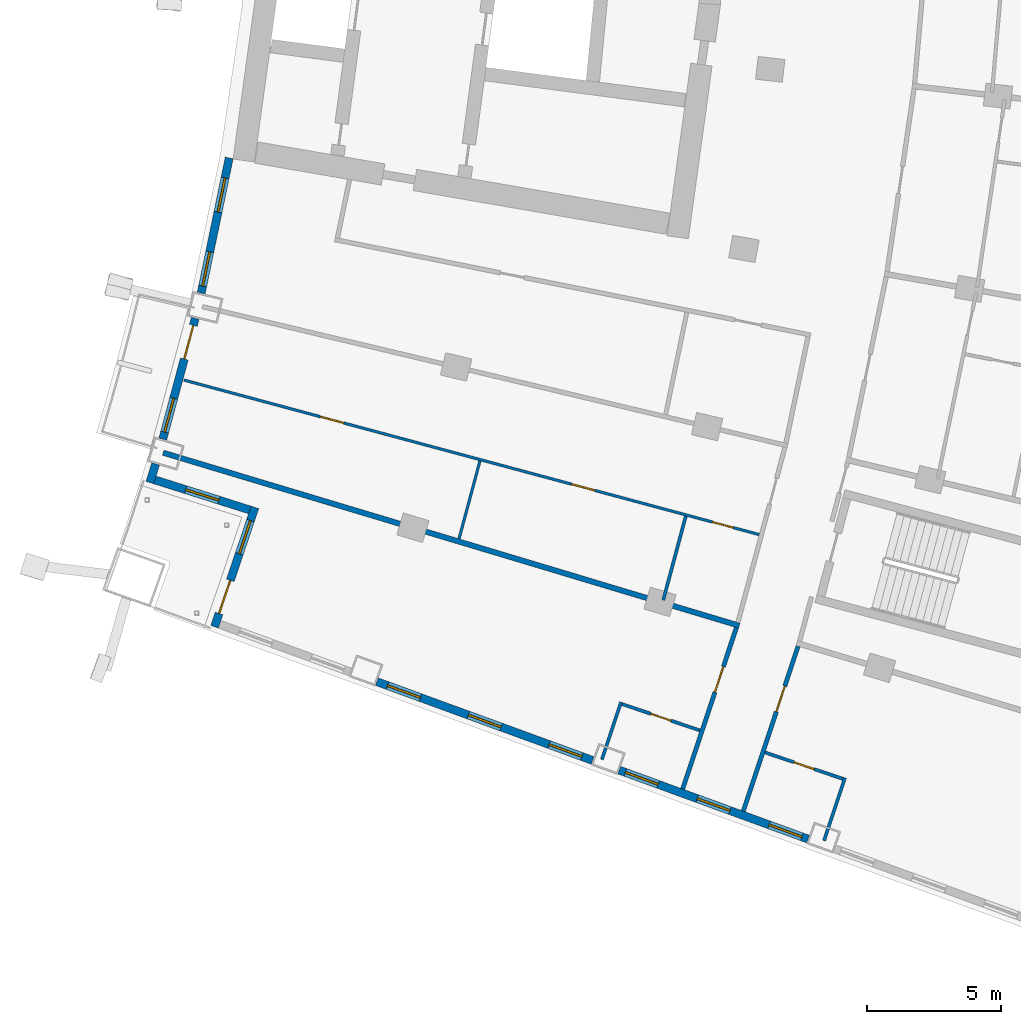
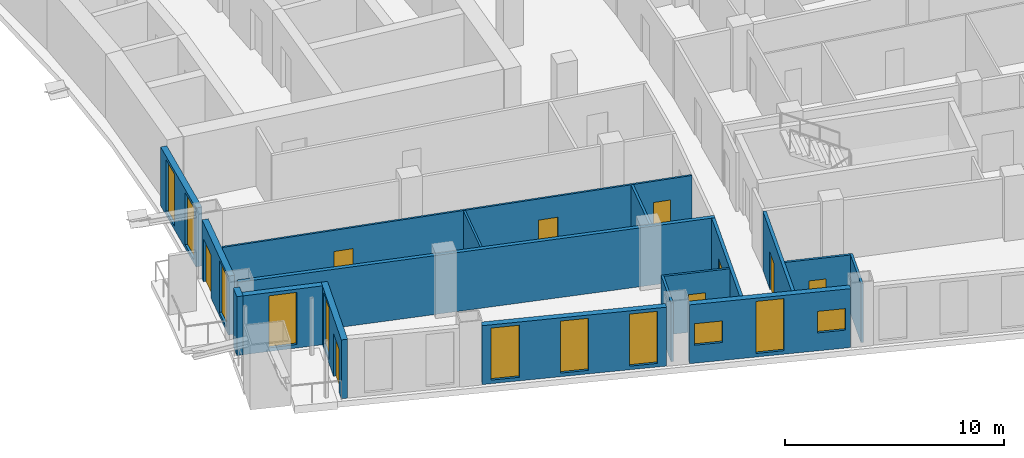
# One storey, part 10 of 23: 17 walls, 11 windows, 9 doors, 20 openings.
"""IFC4 building model written with IfcOpenShell, lengths in metres."""

import ifcopenshell
import ifcopenshell.guid

model = None  # the IFC model being written
_history = None  # IfcOwnerHistory: only IFC2X3 demands one
_inside = {}  # id of a spatial element -> (the spatial element, [elements in it])
_under = {}  # id of a project, library or spatial element -> (it, [spatial elements below it])
_declared = {}  # id of a project -> (the project, [libraries it declares])
_typed = {}  # id of a type object -> (the type object, [elements of that type])
_made_of = {}  # id of a material, layer set ... -> (it, [elements and type objects made of it])


def new_model(schema):
    """Start an empty IFC model of exactly this schema.

    Asked for "IFC4X3", IfcOpenShell would pick the latest addendum, in which some entities
    have other attributes; the version numbers below select the first issue.
    IFC2X3 requires an IfcOwnerHistory on every rooted entity: one is made here for all.
    """
    global model, _history
    if schema == "IFC4X3":
        model = ifcopenshell.file(schema_version=(4, 3, 0, 0))
    else:
        model = ifcopenshell.file(schema=schema)
    _inside.clear()
    _under.clear()
    _declared.clear()
    _typed.clear()
    _made_of.clear()
    _history = None
    if model.schema == "IFC2X3":
        org = make("IfcOrganization", Name="unknown")
        user = make(
            "IfcPersonAndOrganization",
            ThePerson=make("IfcPerson", FamilyName="unknown"),
            TheOrganization=org,
        )
        app = make(
            "IfcApplication",
            ApplicationDeveloper=org,
            Version="unknown",
            ApplicationFullName="unknown",
            ApplicationIdentifier="unknown",
        )
        _history = make(
            "IfcOwnerHistory",
            OwningUser=user,
            OwningApplication=app,
            ChangeAction="ADDED",
            CreationDate=0,
        )
    return model


def make(cls, **values):
    """One entity of the class cls with the attributes given. An attribute that is None is left unset."""
    return model.create_entity(
        cls, **{name: value for name, value in values.items() if value is not None}
    )


def rooted(cls, **values):
    """An entity with a GlobalId (a new one), such as an element, a storey or a relation."""
    return make(cls, GlobalId=ifcopenshell.guid.new(), OwnerHistory=_history, **values)


def si_unit(unit_type, name, prefix=None):
    """IfcSIUnit, for example si_unit("LENGTHUNIT", "METRE", prefix="MILLI")."""
    return make("IfcSIUnit", UnitType=unit_type, Prefix=prefix, Name=name)


def assignment(units):
    """IfcUnitAssignment: the units of a project."""
    return None if units is None else make("IfcUnitAssignment", Units=units)


def point(xyz):
    """IfcCartesianPoint."""
    return None if xyz is None else make("IfcCartesianPoint", Coordinates=xyz)


def direction(xyz):
    """IfcDirection."""
    return None if xyz is None else make("IfcDirection", DirectionRatios=xyz)


def frame(location, z_axis=None, x_axis=None):
    """IfcAxis2Placement3D, a coordinate frame: its origin and axes. An axis left out is left unset."""
    return make(
        "IfcAxis2Placement3D",
        Location=point(location),
        Axis=direction(z_axis),
        RefDirection=direction(x_axis),
    )


def frame_2d(location, x_axis=None):
    """IfcAxis2Placement2D, a coordinate frame in the plane: its origin and x axis."""
    return make(
        "IfcAxis2Placement2D", Location=point(location), RefDirection=direction(x_axis)
    )


def origin():
    """The frame at (0, 0, 0) with its axes left unset."""
    return frame((0.0, 0.0, 0.0))


def place(relative_to, where):
    """IfcLocalPlacement: puts the frame where relative to a parent placement (None: the world)."""
    return make(
        "IfcLocalPlacement", PlacementRelTo=relative_to, RelativePlacement=where
    )


def context(
    kind, dimensions, precision=None, world=None, true_north=None, identifier=None
):
    """IfcGeometricRepresentationContext, for example the 3D "Model" context."""
    return make(
        "IfcGeometricRepresentationContext",
        ContextIdentifier=identifier,
        ContextType=kind,
        CoordinateSpaceDimension=dimensions,
        Precision=precision,
        WorldCoordinateSystem=world,
        TrueNorth=true_north,
    )


def subcontext(parent, identifier, kind, view, scale=None):
    """IfcGeometricRepresentationSubContext, for example "Body" below "Model"."""
    return make(
        "IfcGeometricRepresentationSubContext",
        ContextIdentifier=identifier,
        ContextType=kind,
        ParentContext=parent,
        TargetScale=scale,
        TargetView=view,
    )


def project(units=None, contexts=None):
    """IfcProject with its units and contexts."""
    return rooted(
        "IfcProject",
        Name="project",
        RepresentationContexts=contexts,
        UnitsInContext=assignment(units),
    )


def spatial(cls, under=None, at=None, **own):
    """A site, building, storey or space (cls), placed at a placement, below another one or the project."""
    s = rooted(cls, ObjectPlacement=at, **own)
    if under is not None:
        _under.setdefault(under.id(), (under, []))[1].append(s)
    return s


def profile(cls, at=None, kind="AREA", **sizes):
    """A parametric profile (cls). Its sizes go by their IFC names, for example OverallWidth=200.0."""
    return make(cls, ProfileType=kind, Position=at, **sizes)


def rectangle(**sizes):
    """IfcRectangleProfileDef."""
    return profile("IfcRectangleProfileDef", **sizes)


def extrude(swept, where, along, depth):
    """IfcExtrudedAreaSolid: the profile swept, set in the frame where, extruded along a direction by depth."""
    return make(
        "IfcExtrudedAreaSolid",
        SweptArea=swept,
        Position=where,
        ExtrudedDirection=direction(along),
        Depth=depth,
    )


def shape(context_of_items, identifier, shape_type, items):
    """IfcShapeRepresentation: the items that make up one representation, for example the "Body"."""
    return make(
        "IfcShapeRepresentation",
        ContextOfItems=context_of_items,
        RepresentationIdentifier=identifier,
        RepresentationType=shape_type,
        Items=items,
    )


def material(Name=None, Category=None):
    """IfcMaterial."""
    return make("IfcMaterial", Name=Name, Category=Category)


def layer(
    of_material, thickness, ventilated=None, Name=None, Category=None, Priority=None
):
    """IfcMaterialLayer: one layer of a wall or slab, of a material (None: an air gap)."""
    return make(
        "IfcMaterialLayer",
        Material=of_material,
        LayerThickness=thickness,
        IsVentilated=ventilated,
        Name=Name,
        Category=Category,
        Priority=Priority,
    )


def layer_set(layers, Name=None):
    """IfcMaterialLayerSet."""
    return make("IfcMaterialLayerSet", MaterialLayers=layers, LayerSetName=Name)


def made_of(thing, what):
    """Note that an element or type object is made of a material, layer set ...; save() writes the relation."""
    if what is not None:
        _made_of.setdefault(what.id(), (what, []))[1].append(thing)
    return thing


def type_object(cls, material=None, **own):
    """A type object (cls), such as IfcWallType, which elements share."""
    return made_of(rooted(cls, **own), material)


def element(
    cls,
    number,
    at=None,
    inside=None,
    cuts=None,
    type_object=None,
    material=None,
    context=None,
    identifier="Body",
    shape_type=None,
    held_by="IfcProductDefinitionShape",
    body=None,
    shapes=None,
    **own,
):
    """One element of the class cls, such as IfcWall. Its Tag is "e" and its number.

    at: its placement. inside: the storey or other place that contains it. cuts: it is an
    opening in that element (IfcRelVoidsElement). A single representation is given by context,
    identifier, shape_type and body (its items); several are given by shapes. held_by: the class
    of the entity that holds the representations. save() writes the other relations.
    """
    e = rooted(cls, Tag="e%d" % number, ObjectPlacement=at, **own)
    if body is not None:
        shapes = [shape(context, identifier, shape_type, body)]
    if shapes is not None:
        e.Representation = make(held_by, Representations=shapes)
    if inside is not None:
        _inside.setdefault(inside.id(), (inside, []))[1].append(e)
    if cuts is not None:
        rooted(
            "IfcRelVoidsElement", RelatingBuildingElement=cuts, RelatedOpeningElement=e
        )
    if type_object is not None:
        _typed.setdefault(type_object.id(), (type_object, []))[1].append(e)
    return made_of(e, material)


def fill(opening, filler):
    """IfcRelFillsElement: the door or window that sits in an opening."""
    return rooted(
        "IfcRelFillsElement",
        RelatingOpeningElement=opening,
        RelatedBuildingElement=filler,
    )


def aggregate(whole, parts):
    """IfcRelAggregates: a whole, such as a stair, and the parts it consists of."""
    return rooted("IfcRelAggregates", RelatingObject=whole, RelatedObjects=parts)


def save(model, path):
    """Write the relations noted so far, then the file.

    IfcRelAggregates (storeys below a building ...), IfcRelContainedInSpatialStructure (elements
    in a storey), IfcRelDefinesByType, IfcRelAssociatesMaterial and IfcRelDeclares: one each for
    every whole, place, type object, material and project.
    """
    for whole, parts in _under.values():
        aggregate(whole, parts)
    for where, things in _inside.values():
        rooted(
            "IfcRelContainedInSpatialStructure",
            RelatedElements=things,
            RelatingStructure=where,
        )
    for kind, things in _typed.values():
        rooted("IfcRelDefinesByType", RelatedObjects=things, RelatingType=kind)
    for what, things in _made_of.values():
        rooted("IfcRelAssociatesMaterial", RelatedObjects=things, RelatingMaterial=what)
    for by, libraries in _declared.values():
        rooted("IfcRelDeclares", RelatingContext=by, RelatedDefinitions=libraries)
    model.write(path)


model = new_model("IFC4")

# Units and contexts
model_context = context("Model", 3, precision=1e-05, world=origin(), true_north=direction((0.0, 1.0)))
body_context = subcontext(model_context, "Body", "Model", "MODEL_VIEW")
ifc_project = project(units=[si_unit("LENGTHUNIT", "METRE"), si_unit("AREAUNIT", "SQUARE_METRE"), si_unit("VOLUMEUNIT", "CUBIC_METRE"), si_unit("PLANEANGLEUNIT", "RADIAN"), si_unit("MASSUNIT", "GRAM", prefix="KILO")], contexts=[model_context])

# Site, building, storey
site_placement = place(None, origin())
site = spatial("IfcSite", under=ifc_project, at=site_placement, CompositionType="ELEMENT")
building_placement = place(site_placement, origin())
building = spatial("IfcBuilding", under=site, at=building_placement, Name="Alderwake Tower", CompositionType="ELEMENT")
storey_placement = place(building_placement, frame((0.0, 0.0, 100.39990234375)))
storey = spatial("IfcBuildingStorey", under=building, at=storey_placement, Name="L24", CompositionType="ELEMENT", Elevation=100.39990234375)

# Wall, opening, door
ifc_material_1 = material(Name="Gypsum board on metal studs, rated")
ifc_layer_1 = layer(ifc_material_1, 0.159912109375)
ifc_layer_set_1 = layer_set([ifc_layer_1], Name="Corridor wall 160")
wall_type_1 = type_object("IfcWallType", Name="Corridor wall 160", PredefinedType="PARTITIONING", material=ifc_layer_set_1)
wall_1_placement = place(storey_placement, frame((31.7548828125, 20.739013671875, 0.0), z_axis=(0.0, 0.0, 1.0), x_axis=(0.31554473692, 0.948910701279, 0.0)))
wall_1 = element("IfcWall", 1, at=wall_1_placement, inside=storey, type_object=wall_type_1, Name="WL/L24/W24", PredefinedType="PARTITIONING", context=body_context, shape_type="SweptSolid", body=[
    extrude(rectangle(XDim=6.327392578125, YDim=0.159912109375, at=frame_2d((3.16357421875, 0.0))), origin(), (0.0, 0.0, 1.0), 3.280029296875),
])
opening_1_placement = place(wall_1_placement, frame((3.799072265625, 0.0, 0.0)))
opening_1 = element("IfcOpeningElement", 2, at=opening_1_placement, cuts=wall_1, Name="Opening R06-U12.1", PredefinedType="OPENING", context=body_context, shape_type="SweptSolid", body=[
    extrude(rectangle(XDim=1.0, YDim=2.10009765625, at=frame_2d((0.5, 1.050048828125))), frame((0.0, 0.08984375, 0.0), z_axis=(0.0, -1.0, 0.0), x_axis=(1.0, 0.0, 0.0)), (0.0, 0.0, 1.0), 0.179931640625),
])
ifc_material_2 = material(Name="Solid timber leaf in steel frame", Category="steel")
door_type_1 = type_object("IfcDoorType", Name="Flat entrance door 1000 fire-rated", OperationType="SINGLE_SWING_LEFT", PredefinedType="DOOR", material=ifc_material_2)
door_1_placement = place(opening_1_placement, origin())
door_1 = element("IfcDoor", 3, at=door_1_placement, inside=storey, type_object=door_type_1, Name="DR/L24/U12.1", OperationType="SINGLE_SWING_LEFT", OverallHeight=2.10009765625, OverallWidth=1.0, PredefinedType="DOOR", context=body_context, shape_type="SweptSolid", body=[
    extrude(rectangle(XDim=1.0, YDim=2.10009765625, at=frame_2d((0.5, 1.050048828125))), frame((0.0, 0.02490234375, 0.0), z_axis=(0.0, -1.0, 0.0), x_axis=(1.0, 0.0, 0.0)), (0.0, 0.0, 1.0), 0.050048828125),
])
fill(opening_1, door_1)

wall_2_placement = place(storey_placement, frame((36.049560546875, 26.052978515625, 0.0), z_axis=(0.0, 0.0, 1.0), x_axis=(-0.315151894598, -0.949041244273, 0.0)))
wall_2 = element("IfcWall", 4, at=wall_2_placement, inside=storey, type_object=wall_type_1, Name="WL/L24/W27", PredefinedType="PARTITIONING", context=body_context, shape_type="SweptSolid", body=[
    extrude(rectangle(XDim=6.468505859375, YDim=0.159912109375, at=frame_2d((3.234375, 0.0))), origin(), (0.0, 0.0, 1.0), 3.280029296875),
])
opening_2_placement = place(wall_2_placement, frame((1.570068359375, 0.0, 0.0)))
opening_2 = element("IfcOpeningElement", 5, at=opening_2_placement, cuts=wall_2, Name="Opening R06-U03.1", PredefinedType="OPENING", context=body_context, shape_type="SweptSolid", body=[
    extrude(rectangle(XDim=1.0, YDim=2.10009765625, at=frame_2d((0.5, 1.050048828125))), frame((0.0, 0.08984375, 0.0), z_axis=(0.0, -1.0, 0.0), x_axis=(1.0, 0.0, 0.0)), (0.0, 0.0, 1.0), 0.179931640625),
])
door_2_placement = place(opening_2_placement, origin())
door_2 = element("IfcDoor", 6, at=door_2_placement, inside=storey, type_object=door_type_1, Name="DR/L24/U03.1", OperationType="SINGLE_SWING_LEFT", OverallHeight=2.10009765625, OverallWidth=1.0, PredefinedType="DOOR", context=body_context, shape_type="SweptSolid", body=[
    extrude(rectangle(XDim=1.0, YDim=2.10009765625, at=frame_2d((0.5, 1.050048828125))), frame((0.0, 0.02490234375, 0.0), z_axis=(0.0, -1.0, 0.0), x_axis=(1.0, 0.0, 0.0)), (0.0, 0.0, 1.0), 0.050048828125),
])
fill(opening_2, door_2)

# Wall
ifc_material_3 = material(Name="Precast concrete C50/60 spandrel panel", Category="concrete")
ifc_layer_2 = layer(ifc_material_3, 0.300048828125)
ifc_layer_set_2 = layer_set([ifc_layer_2], Name="External wall EW1 Precast concrete C50/60 spandrel")
wall_type_2 = type_object("IfcWallType", Name="External wall EW1 Precast concrete C50/60 spandrel", PredefinedType="SOLIDWALL", material=ifc_layer_set_2)
wall_3_placement = place(storey_placement, frame((12.14013671875, 32.83837890625, 0.0), z_axis=(0.0, 0.0, 1.0), x_axis=(-0.294604532955, -0.955619259518, 0.0)))
element("IfcWall", 7, at=wall_3_placement, inside=storey, type_object=wall_type_2, Name="External wall 1", PredefinedType="SOLIDWALL", context=body_context, shape_type="SweptSolid", body=[
    extrude(rectangle(XDim=0.7275390625, YDim=0.300048828125, at=frame_2d((0.36376953125, 0.0))), origin(), (0.0, 0.0, 1.0), 3.280029296875),
])

# Wall, openings, windows
wall_4_placement = place(storey_placement, frame((14.878173828125, 44.223388671875, 0.0), z_axis=(0.0, 0.0, 1.0), x_axis=(-0.202723539143, -0.979236011734, 0.0)))
wall_4 = element("IfcWall", 8, at=wall_4_placement, inside=storey, type_object=wall_type_2, Name="External wall 35", PredefinedType="SOLIDWALL", context=body_context, shape_type="SweptSolid", body=[
    extrude(rectangle(XDim=5.134033203125, YDim=0.300048828125, at=frame_2d((2.56689453125, 0.0))), origin(), (0.0, 0.0, 1.0), 3.280029296875),
])
opening_3_placement = place(wall_4_placement, frame((0.75634765625, 0.0, 0.199951171875)))
opening_3 = element("IfcOpeningElement", 9, at=opening_3_placement, cuts=wall_4, Name="Opening W1", PredefinedType="OPENING", context=body_context, shape_type="SweptSolid", body=[
    extrude(rectangle(XDim=1.300048828125, YDim=2.89990234375, at=frame_2d((0.64990234375, 1.449951171875))), frame((0.0, 0.159912109375, 0.0), z_axis=(0.0, -1.0, 0.0), x_axis=(1.0, 0.0, 0.0)), (0.0, 0.0, 1.0), 0.320068359375),
])
opening_4_placement = place(wall_4_placement, frame((3.569091796875, 0.0, 0.199951171875)))
opening_4 = element("IfcOpeningElement", 10, at=opening_4_placement, cuts=wall_4, Name="Opening W1", PredefinedType="OPENING", context=body_context, shape_type="SweptSolid", body=[
    extrude(rectangle(XDim=1.300048828125, YDim=2.89990234375, at=frame_2d((0.64990234375, 1.449951171875))), frame((0.0, 0.159912109375, 0.0), z_axis=(0.0, -1.0, 0.0), x_axis=(1.0, 0.0, 0.0)), (0.0, 0.0, 1.0), 0.320068359375),
])
ifc_material_4 = material(Name="Bronze tinted glass in aluminium frame", Category="aluminium")
window_type_1 = type_object("IfcWindowType", Name="Window W1 tall fixed and vent", PartitioningType="DOUBLE_PANEL_VERTICAL", PredefinedType="WINDOW", material=ifc_material_4)
window_1_placement = place(opening_3_placement, origin())
window_1 = element("IfcWindow", 11, at=window_1_placement, inside=storey, type_object=window_type_1, Name="Window W1 tall fixed and vent", OverallHeight=2.89990234375, OverallWidth=1.300048828125, PartitioningType="DOUBLE_PANEL_VERTICAL", PredefinedType="WINDOW", context=body_context, shape_type="SweptSolid", body=[
    extrude(rectangle(XDim=1.300048828125, YDim=2.89990234375, at=frame_2d((0.64990234375, 1.449951171875))), frame((0.0, 0.030029296875, 0.0), z_axis=(0.0, -1.0, 0.0), x_axis=(1.0, 0.0, 0.0)), (0.0, 0.0, 1.0), 0.06005859375),
])
fill(opening_3, window_1)
window_2_placement = place(opening_4_placement, origin())
window_2 = element("IfcWindow", 12, at=window_2_placement, inside=storey, type_object=window_type_1, Name="Window W1 tall fixed and vent", OverallHeight=2.89990234375, OverallWidth=1.300048828125, PartitioningType="DOUBLE_PANEL_VERTICAL", PredefinedType="WINDOW", context=body_context, shape_type="SweptSolid", body=[
    extrude(rectangle(XDim=1.300048828125, YDim=2.89990234375, at=frame_2d((0.64990234375, 1.449951171875))), frame((0.0, 0.030029296875, 0.0), z_axis=(0.0, -1.0, 0.0), x_axis=(1.0, 0.0, 0.0)), (0.0, 0.0, 1.0), 0.06005859375),
])
fill(opening_4, window_2)

# Wall, openings, door, window
wall_5_placement = place(storey_placement, frame((13.61328125, 38.254150390625, 0.0), z_axis=(0.0, 0.0, 1.0), x_axis=(-0.259468933642, -0.965751454814, 0.0)))
wall_5 = element("IfcWall", 13, at=wall_5_placement, inside=storey, type_object=wall_type_2, Name="External wall 36", PredefinedType="SOLIDWALL", context=body_context, shape_type="SweptSolid", body=[
    extrude(rectangle(XDim=4.65087890625, YDim=0.300048828125, at=frame_2d((2.325439453125, 0.0))), origin(), (0.0, 0.0, 1.0), 3.280029296875),
])
opening_5_placement = place(wall_5_placement, frame((0.26708984375, 0.0, 0.0)))
opening_5 = element("IfcOpeningElement", 14, at=opening_5_placement, cuts=wall_5, Name="Opening D15", PredefinedType="OPENING", context=body_context, shape_type="SweptSolid", body=[
    extrude(rectangle(XDim=1.300048828125, YDim=2.39990234375, at=frame_2d((0.64990234375, 1.199951171875))), frame((0.0, 0.159912109375, 0.0), z_axis=(0.0, -1.0, 0.0), x_axis=(1.0, 0.0, 0.0)), (0.0, 0.0, 1.0), 0.320068359375),
])
opening_6_placement = place(wall_5_placement, frame((3.083984375, 0.0, 0.199951171875)))
opening_6 = element("IfcOpeningElement", 15, at=opening_6_placement, cuts=wall_5, Name="Opening W1", PredefinedType="OPENING", context=body_context, shape_type="SweptSolid", body=[
    extrude(rectangle(XDim=1.300048828125, YDim=2.89990234375, at=frame_2d((0.64990234375, 1.449951171875))), frame((0.0, 0.159912109375, 0.0), z_axis=(0.0, -1.0, 0.0), x_axis=(1.0, 0.0, 0.0)), (0.0, 0.0, 1.0), 0.320068359375),
])
ifc_material_5 = material(Name="Bronze tinted glass in aluminium frame", Category="aluminium")
door_type_2 = type_object("IfcDoorType", Name="Balcony door BD sliding", OperationType="SLIDING_TO_LEFT", PredefinedType="DOOR", material=ifc_material_5)
door_3_placement = place(opening_5_placement, origin())
door_3 = element("IfcDoor", 16, at=door_3_placement, inside=storey, type_object=door_type_2, Name="Door D15", OperationType="SLIDING_TO_LEFT", OverallHeight=2.39990234375, OverallWidth=1.300048828125, PredefinedType="DOOR", context=body_context, shape_type="SweptSolid", body=[
    extrude(rectangle(XDim=1.300048828125, YDim=2.39990234375, at=frame_2d((0.64990234375, 1.199951171875))), frame((0.0, 0.02490234375, 0.0), z_axis=(0.0, -1.0, 0.0), x_axis=(1.0, 0.0, 0.0)), (0.0, 0.0, 1.0), 0.050048828125),
])
fill(opening_5, door_3)
window_3_placement = place(opening_6_placement, origin())
window_3 = element("IfcWindow", 17, at=window_3_placement, inside=storey, type_object=window_type_1, Name="Window W1 tall fixed and vent", OverallHeight=2.89990234375, OverallWidth=1.300048828125, PartitioningType="DOUBLE_PANEL_VERTICAL", PredefinedType="WINDOW", context=body_context, shape_type="SweptSolid", body=[
    extrude(rectangle(XDim=1.300048828125, YDim=2.89990234375, at=frame_2d((0.64990234375, 1.449951171875))), frame((0.0, 0.030029296875, 0.0), z_axis=(0.0, -1.0, 0.0), x_axis=(1.0, 0.0, 0.0)), (0.0, 0.0, 1.0), 0.06005859375),
])
fill(opening_6, window_3)

# Wall, opening, window
ifc_material_6 = material(Name="Bronze metal cladding on lightweight framing")
ifc_layer_3 = layer(ifc_material_6, 0.300048828125)
ifc_layer_set_3 = layer_set([ifc_layer_3], Name="External wall EW2 bronze metal cladding")
wall_type_3 = type_object("IfcWallType", Name="External wall EW2 bronze metal cladding", PredefinedType="SOLIDWALL", material=ifc_layer_set_3)
wall_6_placement = place(storey_placement, frame((12.113037109375, 32.2412109375, 0.0), z_axis=(0.0, 0.0, 1.0), x_axis=(0.953458128271, -0.301525451054, 0.0)))
wall_6 = element("IfcWall", 18, at=wall_6_placement, inside=storey, type_object=wall_type_3, Name="External wall 2", PredefinedType="SOLIDWALL", context=body_context, shape_type="SweptSolid", body=[
    extrude(rectangle(XDim=3.705810546875, YDim=0.300048828125, at=frame_2d((1.85302734375, 0.0))), origin(), (0.0, 0.0, 1.0), 3.280029296875),
])
opening_7_placement = place(wall_6_placement, frame((1.202880859375, 0.0, 0.199951171875)))
opening_7 = element("IfcOpeningElement", 19, at=opening_7_placement, cuts=wall_6, Name="Opening W1", PredefinedType="OPENING", context=body_context, shape_type="SweptSolid", body=[
    extrude(rectangle(XDim=1.300048828125, YDim=2.89990234375, at=frame_2d((0.64990234375, 1.449951171875))), frame((0.0, 0.159912109375, 0.0), z_axis=(0.0, -1.0, 0.0), x_axis=(1.0, 0.0, 0.0)), (0.0, 0.0, 1.0), 0.320068359375),
])
window_4_placement = place(opening_7_placement, origin())
window_4 = element("IfcWindow", 20, at=window_4_placement, inside=storey, type_object=window_type_1, Name="Window W1 tall fixed and vent", OverallHeight=2.89990234375, OverallWidth=1.300048828125, PartitioningType="DOUBLE_PANEL_VERTICAL", PredefinedType="WINDOW", context=body_context, shape_type="SweptSolid", body=[
    extrude(rectangle(XDim=1.300048828125, YDim=2.89990234375, at=frame_2d((0.64990234375, 1.449951171875))), frame((0.0, 0.030029296875, 0.0), z_axis=(0.0, -1.0, 0.0), x_axis=(1.0, 0.0, 0.0)), (0.0, 0.0, 1.0), 0.06005859375),
])
fill(opening_7, window_4)

# Wall, openings, door, window
wall_7_placement = place(storey_placement, frame((15.83740234375, 31.220703125, 0.0), z_axis=(0.0, 0.0, 1.0), x_axis=(-0.32041006121, -0.947278941324, 0.0)))
wall_7 = element("IfcWall", 21, at=wall_7_placement, inside=storey, type_object=wall_type_3, Name="External wall 3", PredefinedType="SOLIDWALL", context=body_context, shape_type="SweptSolid", body=[
    extrude(rectangle(XDim=4.68994140625, YDim=0.300048828125, at=frame_2d((2.344970703125, 0.0))), origin(), (0.0, 0.0, 1.0), 3.280029296875),
])
opening_8_placement = place(wall_7_placement, frame((0.5224609375, 0.0, 0.199951171875)))
opening_8 = element("IfcOpeningElement", 22, at=opening_8_placement, cuts=wall_7, Name="Opening W1", PredefinedType="OPENING", context=body_context, shape_type="SweptSolid", body=[
    extrude(rectangle(XDim=1.300048828125, YDim=2.89990234375, at=frame_2d((0.64990234375, 1.449951171875))), frame((0.0, 0.159912109375, 0.0), z_axis=(0.0, -1.0, 0.0), x_axis=(1.0, 0.0, 0.0)), (0.0, 0.0, 1.0), 0.320068359375),
])
opening_9_placement = place(wall_7_placement, frame((2.867431640625, 0.0, 0.0)))
opening_9 = element("IfcOpeningElement", 23, at=opening_9_placement, cuts=wall_7, Name="Opening D01", PredefinedType="OPENING", context=body_context, shape_type="SweptSolid", body=[
    extrude(rectangle(XDim=1.300048828125, YDim=2.39990234375, at=frame_2d((0.64990234375, 1.199951171875))), frame((0.0, 0.159912109375, 0.0), z_axis=(0.0, -1.0, 0.0), x_axis=(1.0, 0.0, 0.0)), (0.0, 0.0, 1.0), 0.320068359375),
])
door_4_placement = place(opening_9_placement, origin())
door_4 = element("IfcDoor", 24, at=door_4_placement, inside=storey, type_object=door_type_2, Name="Door D01", OperationType="SLIDING_TO_LEFT", OverallHeight=2.39990234375, OverallWidth=1.300048828125, PredefinedType="DOOR", context=body_context, shape_type="SweptSolid", body=[
    extrude(rectangle(XDim=1.300048828125, YDim=2.39990234375, at=frame_2d((0.64990234375, 1.199951171875))), frame((0.0, 0.02490234375, 0.0), z_axis=(0.0, -1.0, 0.0), x_axis=(1.0, 0.0, 0.0)), (0.0, 0.0, 1.0), 0.050048828125),
])
fill(opening_9, door_4)
window_5_placement = place(opening_8_placement, origin())
window_5 = element("IfcWindow", 25, at=window_5_placement, inside=storey, type_object=window_type_1, Name="Window W1 tall fixed and vent", OverallHeight=2.89990234375, OverallWidth=1.300048828125, PartitioningType="DOUBLE_PANEL_VERTICAL", PredefinedType="WINDOW", context=body_context, shape_type="SweptSolid", body=[
    extrude(rectangle(XDim=1.300048828125, YDim=2.89990234375, at=frame_2d((0.64990234375, 1.449951171875))), frame((0.0, 0.030029296875, 0.0), z_axis=(0.0, -1.0, 0.0), x_axis=(1.0, 0.0, 0.0)), (0.0, 0.0, 1.0), 0.06005859375),
])
fill(opening_8, window_5)

# Wall, openings, windows
wall_8_placement = place(storey_placement, frame((20.375244140625, 24.73291015625, 0.0), z_axis=(0.0, 0.0, 1.0), x_axis=(0.939364770023, -0.342919566137, 0.0)))
wall_8 = element("IfcWall", 26, at=wall_8_placement, inside=storey, type_object=wall_type_3, Name="External wall 5", PredefinedType="SOLIDWALL", context=body_context, shape_type="SweptSolid", body=[
    extrude(rectangle(XDim=8.54541015625, YDim=0.300048828125, at=frame_2d((4.272705078125, 0.0))), origin(), (0.0, 0.0, 1.0), 3.280029296875),
])
opening_10_placement = place(wall_8_placement, frame((0.422607421875, 0.0, 0.199951171875)))
opening_10 = element("IfcOpeningElement", 27, at=opening_10_placement, cuts=wall_8, Name="Opening W1", PredefinedType="OPENING", context=body_context, shape_type="SweptSolid", body=[
    extrude(rectangle(XDim=1.300048828125, YDim=2.89990234375, at=frame_2d((0.64990234375, 1.449951171875))), frame((0.0, 0.159912109375, 0.0), z_axis=(0.0, -1.0, 0.0), x_axis=(1.0, 0.0, 0.0)), (0.0, 0.0, 1.0), 0.320068359375),
])
opening_11_placement = place(wall_8_placement, frame((3.622802734375, 0.0, 0.199951171875)))
opening_11 = element("IfcOpeningElement", 28, at=opening_11_placement, cuts=wall_8, Name="Opening W1", PredefinedType="OPENING", context=body_context, shape_type="SweptSolid", body=[
    extrude(rectangle(XDim=1.300048828125, YDim=2.89990234375, at=frame_2d((0.64990234375, 1.449951171875))), frame((0.0, 0.159912109375, 0.0), z_axis=(0.0, -1.0, 0.0), x_axis=(1.0, 0.0, 0.0)), (0.0, 0.0, 1.0), 0.320068359375),
])
opening_12_placement = place(wall_8_placement, frame((6.82275390625, 0.0, 0.199951171875)))
opening_12 = element("IfcOpeningElement", 29, at=opening_12_placement, cuts=wall_8, Name="Opening W1", PredefinedType="OPENING", context=body_context, shape_type="SweptSolid", body=[
    extrude(rectangle(XDim=1.300048828125, YDim=2.89990234375, at=frame_2d((0.64990234375, 1.449951171875))), frame((0.0, 0.159912109375, 0.0), z_axis=(0.0, -1.0, 0.0), x_axis=(1.0, 0.0, 0.0)), (0.0, 0.0, 1.0), 0.320068359375),
])
window_6_placement = place(opening_10_placement, origin())
window_6 = element("IfcWindow", 30, at=window_6_placement, inside=storey, type_object=window_type_1, Name="Window W1 tall fixed and vent", OverallHeight=2.89990234375, OverallWidth=1.300048828125, PartitioningType="DOUBLE_PANEL_VERTICAL", PredefinedType="WINDOW", context=body_context, shape_type="SweptSolid", body=[
    extrude(rectangle(XDim=1.300048828125, YDim=2.89990234375, at=frame_2d((0.64990234375, 1.449951171875))), frame((0.0, 0.030029296875, 0.0), z_axis=(0.0, -1.0, 0.0), x_axis=(1.0, 0.0, 0.0)), (0.0, 0.0, 1.0), 0.06005859375),
])
fill(opening_10, window_6)
window_7_placement = place(opening_11_placement, origin())
window_7 = element("IfcWindow", 31, at=window_7_placement, inside=storey, type_object=window_type_1, Name="Window W1 tall fixed and vent", OverallHeight=2.89990234375, OverallWidth=1.300048828125, PartitioningType="DOUBLE_PANEL_VERTICAL", PredefinedType="WINDOW", context=body_context, shape_type="SweptSolid", body=[
    extrude(rectangle(XDim=1.300048828125, YDim=2.89990234375, at=frame_2d((0.64990234375, 1.449951171875))), frame((0.0, 0.030029296875, 0.0), z_axis=(0.0, -1.0, 0.0), x_axis=(1.0, 0.0, 0.0)), (0.0, 0.0, 1.0), 0.06005859375),
])
fill(opening_11, window_7)
window_8_placement = place(opening_12_placement, origin())
window_8 = element("IfcWindow", 32, at=window_8_placement, inside=storey, type_object=window_type_1, Name="Window W1 tall fixed and vent", OverallHeight=2.89990234375, OverallWidth=1.300048828125, PartitioningType="DOUBLE_PANEL_VERTICAL", PredefinedType="WINDOW", context=body_context, shape_type="SweptSolid", body=[
    extrude(rectangle(XDim=1.300048828125, YDim=2.89990234375, at=frame_2d((0.64990234375, 1.449951171875))), frame((0.0, 0.030029296875, 0.0), z_axis=(0.0, -1.0, 0.0), x_axis=(1.0, 0.0, 0.0)), (0.0, 0.0, 1.0), 0.06005859375),
])
fill(opening_12, window_8)

wall_9_placement = place(storey_placement, frame((29.39306640625, 21.44091796875, 0.0), z_axis=(0.0, 0.0, 1.0), x_axis=(0.939370505087, -0.342903855582, 0.0)))
wall_9 = element("IfcWall", 33, at=wall_9_placement, inside=storey, type_object=wall_type_3, Name="External wall 6", PredefinedType="SOLIDWALL", context=body_context, shape_type="SweptSolid", body=[
    extrude(rectangle(XDim=7.479248046875, YDim=0.300048828125, at=frame_2d((3.73974609375, 0.0))), origin(), (0.0, 0.0, 1.0), 3.280029296875),
])
opening_13_placement = place(wall_9_placement, frame((0.2451171875, 0.0, 1.0)))
opening_13 = element("IfcOpeningElement", 34, at=opening_13_placement, cuts=wall_9, Name="Opening W2", PredefinedType="OPENING", context=body_context, shape_type="SweptSolid", body=[
    extrude(rectangle(XDim=1.300048828125, YDim=1.199951171875, at=frame_2d((0.64990234375, 0.60009765625))), frame((0.0, 0.159912109375, 0.0), z_axis=(0.0, -1.0, 0.0), x_axis=(1.0, 0.0, 0.0)), (0.0, 0.0, 1.0), 0.320068359375),
])
opening_14_placement = place(wall_9_placement, frame((3.089599609375, 0.0, 0.199951171875)))
opening_14 = element("IfcOpeningElement", 35, at=opening_14_placement, cuts=wall_9, Name="Opening W1", PredefinedType="OPENING", context=body_context, shape_type="SweptSolid", body=[
    extrude(rectangle(XDim=1.300048828125, YDim=2.89990234375, at=frame_2d((0.64990234375, 1.449951171875))), frame((0.0, 0.159912109375, 0.0), z_axis=(0.0, -1.0, 0.0), x_axis=(1.0, 0.0, 0.0)), (0.0, 0.0, 1.0), 0.320068359375),
])
opening_15_placement = place(wall_9_placement, frame((5.93408203125, 0.0, 1.0)))
opening_15 = element("IfcOpeningElement", 36, at=opening_15_placement, cuts=wall_9, Name="Opening W2", PredefinedType="OPENING", context=body_context, shape_type="SweptSolid", body=[
    extrude(rectangle(XDim=1.300048828125, YDim=1.199951171875, at=frame_2d((0.64990234375, 0.60009765625))), frame((0.0, 0.159912109375, 0.0), z_axis=(0.0, -1.0, 0.0), x_axis=(1.0, 0.0, 0.0)), (0.0, 0.0, 1.0), 0.320068359375),
])
window_9_placement = place(opening_14_placement, origin())
window_9 = element("IfcWindow", 37, at=window_9_placement, inside=storey, type_object=window_type_1, Name="Window W1 tall fixed and vent", OverallHeight=2.89990234375, OverallWidth=1.300048828125, PartitioningType="DOUBLE_PANEL_VERTICAL", PredefinedType="WINDOW", context=body_context, shape_type="SweptSolid", body=[
    extrude(rectangle(XDim=1.300048828125, YDim=2.89990234375, at=frame_2d((0.64990234375, 1.449951171875))), frame((0.0, 0.030029296875, 0.0), z_axis=(0.0, -1.0, 0.0), x_axis=(1.0, 0.0, 0.0)), (0.0, 0.0, 1.0), 0.06005859375),
])
fill(opening_14, window_9)
ifc_material_7 = material(Name="Bronze tinted glass in aluminium frame", Category="aluminium")
window_type_2 = type_object("IfcWindowType", Name="Window W2 kitchen and bath", PartitioningType="SINGLE_PANEL", PredefinedType="WINDOW", material=ifc_material_7)
window_10_placement = place(opening_13_placement, origin())
window_10 = element("IfcWindow", 38, at=window_10_placement, inside=storey, type_object=window_type_2, Name="Window W2 kitchen and bath", OverallHeight=1.199951171875, OverallWidth=1.300048828125, PartitioningType="SINGLE_PANEL", PredefinedType="WINDOW", context=body_context, shape_type="SweptSolid", body=[
    extrude(rectangle(XDim=1.300048828125, YDim=1.199951171875, at=frame_2d((0.64990234375, 0.60009765625))), frame((0.0, 0.030029296875, 0.0), z_axis=(0.0, -1.0, 0.0), x_axis=(1.0, 0.0, 0.0)), (0.0, 0.0, 1.0), 0.06005859375),
])
fill(opening_13, window_10)
window_11_placement = place(opening_15_placement, origin())
window_11 = element("IfcWindow", 39, at=window_11_placement, inside=storey, type_object=window_type_2, Name="Window W2 kitchen and bath", OverallHeight=1.199951171875, OverallWidth=1.300048828125, PartitioningType="SINGLE_PANEL", PredefinedType="WINDOW", context=body_context, shape_type="SweptSolid", body=[
    extrude(rectangle(XDim=1.300048828125, YDim=1.199951171875, at=frame_2d((0.64990234375, 0.60009765625))), frame((0.0, 0.030029296875, 0.0), z_axis=(0.0, -1.0, 0.0), x_axis=(1.0, 0.0, 0.0)), (0.0, 0.0, 1.0), 0.06005859375),
])
fill(opening_15, window_11)

# Wall
ifc_material_8 = material(Name="Dense block masonry wall", Category="masonry")
ifc_layer_4 = layer(ifc_material_8, 0.199951171875)
ifc_layer_set_4 = layer_set([ifc_layer_4], Name="Party wall 200")
wall_type_4 = type_object("IfcWallType", Name="Party wall 200", PredefinedType="SOLIDWALL", material=ifc_layer_set_4)
wall_10_placement = place(storey_placement, frame((33.859619140625, 26.81494140625, 0.0), z_axis=(0.0, 0.0, 1.0), x_axis=(-0.95775179957, 0.287596054251, 0.0)))
element("IfcWall", 40, at=wall_10_placement, inside=storey, type_object=wall_type_4, Name="WL/L24/W03", PredefinedType="SOLIDWALL", context=body_context, shape_type="SweptSolid", body=[
    extrude(rectangle(XDim=22.382080078125, YDim=0.199951171875, at=frame_2d((11.19091796875, 0.0))), origin(), (0.0, 0.0, 1.0), 3.280029296875),
])

# Wall, openings, doors
ifc_material_9 = material(Name="Gypsum board on metal studs")
ifc_layer_5 = layer(ifc_material_9, 0.10009765625)
ifc_layer_set_5 = layer_set([ifc_layer_5], Name="Unit partition 100")
wall_type_5 = type_object("IfcWallType", Name="Unit partition 100", PredefinedType="PARTITIONING", material=ifc_layer_set_5)
wall_11_placement = place(storey_placement, frame((34.605712890625, 30.206787109375, 0.0), z_axis=(0.0, 0.0, 1.0), x_axis=(-0.965767846078, 0.259407917152, 0.0)))
wall_11 = element("IfcWall", 41, at=wall_11_placement, inside=storey, type_object=wall_type_5, Name="WL/L24/W70", PredefinedType="PARTITIONING", context=body_context, shape_type="SweptSolid", body=[
    extrude(rectangle(XDim=22.170654296875, YDim=0.10009765625, at=frame_2d((11.08544921875, 0.0))), origin(), (0.0, 0.0, 1.0), 3.280029296875),
])
opening_16_placement = place(wall_11_placement, frame((6.335205078125, 0.0, 0.0)))
opening_16 = element("IfcOpeningElement", 42, at=opening_16_placement, cuts=wall_11, Name="Opening R06-U13.1", PredefinedType="OPENING", context=body_context, shape_type="SweptSolid", body=[
    extrude(rectangle(XDim=0.89990234375, YDim=2.10009765625, at=frame_2d((0.449951171875, 1.050048828125))), frame((0.0, 0.06005859375, 0.0), z_axis=(0.0, -1.0, 0.0), x_axis=(1.0, 0.0, 0.0)), (0.0, 0.0, 1.0), 0.1201171875),
])
opening_17_placement = place(wall_11_placement, frame((1.010009765625, 0.0, 0.0)))
opening_17 = element("IfcOpeningElement", 43, at=opening_17_placement, cuts=wall_11, Name="Opening R06-U13.3", PredefinedType="OPENING", context=body_context, shape_type="SweptSolid", body=[
    extrude(rectangle(XDim=0.800048828125, YDim=2.10009765625, at=frame_2d((0.39990234375, 1.050048828125))), frame((0.0, 0.06005859375, 0.0), z_axis=(0.0, -1.0, 0.0), x_axis=(1.0, 0.0, 0.0)), (0.0, 0.0, 1.0), 0.1201171875),
])
opening_18_placement = place(wall_11_placement, frame((16.010498046875, 0.0, 0.0)))
opening_18 = element("IfcOpeningElement", 44, at=opening_18_placement, cuts=wall_11, Name="Opening R06-U13.4", PredefinedType="OPENING", context=body_context, shape_type="SweptSolid", body=[
    extrude(rectangle(XDim=0.89990234375, YDim=2.10009765625, at=frame_2d((0.449951171875, 1.050048828125))), frame((0.0, 0.06005859375, 0.0), z_axis=(0.0, -1.0, 0.0), x_axis=(1.0, 0.0, 0.0)), (0.0, 0.0, 1.0), 0.1201171875),
])
ifc_material_10 = material(Name="Painted timber leaf", Category="wood")
door_type_3 = type_object("IfcDoorType", Name="Bathroom door 800", OperationType="SINGLE_SWING_LEFT", PredefinedType="DOOR", material=ifc_material_10)
door_5_placement = place(opening_17_placement, origin())
door_5 = element("IfcDoor", 45, at=door_5_placement, inside=storey, type_object=door_type_3, Name="DR/L24/U13.3", OperationType="SINGLE_SWING_LEFT", OverallHeight=2.10009765625, OverallWidth=0.800048828125, PredefinedType="DOOR", context=body_context, shape_type="SweptSolid", body=[
    extrude(rectangle(XDim=0.800048828125, YDim=2.10009765625, at=frame_2d((0.39990234375, 1.050048828125))), frame((0.0, 0.02490234375, 0.0), z_axis=(0.0, -1.0, 0.0), x_axis=(1.0, 0.0, 0.0)), (0.0, 0.0, 1.0), 0.050048828125),
])
fill(opening_17, door_5)
ifc_material_11 = material(Name="Painted timber leaf", Category="wood")
door_type_4 = type_object("IfcDoorType", Name="Room door 900", OperationType="SINGLE_SWING_LEFT", PredefinedType="DOOR", material=ifc_material_11)
door_6_placement = place(opening_16_placement, origin())
door_6 = element("IfcDoor", 46, at=door_6_placement, inside=storey, type_object=door_type_4, Name="DR/L24/U13.1", OperationType="SINGLE_SWING_LEFT", OverallHeight=2.10009765625, OverallWidth=0.89990234375, PredefinedType="DOOR", context=body_context, shape_type="SweptSolid", body=[
    extrude(rectangle(XDim=0.89990234375, YDim=2.10009765625, at=frame_2d((0.449951171875, 1.050048828125))), frame((0.0, 0.02490234375, 0.0), z_axis=(0.0, -1.0, 0.0), x_axis=(1.0, 0.0, 0.0)), (0.0, 0.0, 1.0), 0.050048828125),
])
fill(opening_16, door_6)
door_7_placement = place(opening_18_placement, origin())
door_7 = element("IfcDoor", 47, at=door_7_placement, inside=storey, type_object=door_type_4, Name="DR/L24/U13.4", OperationType="SINGLE_SWING_LEFT", OverallHeight=2.10009765625, OverallWidth=0.89990234375, PredefinedType="DOOR", context=body_context, shape_type="SweptSolid", body=[
    extrude(rectangle(XDim=0.89990234375, YDim=2.10009765625, at=frame_2d((0.449951171875, 1.050048828125))), frame((0.0, 0.02490234375, 0.0), z_axis=(0.0, -1.0, 0.0), x_axis=(1.0, 0.0, 0.0)), (0.0, 0.0, 1.0), 0.050048828125),
])
fill(opening_18, door_7)

# Walls
wall_12_placement = place(storey_placement, frame((24.208984375, 32.94580078125, 0.0), z_axis=(0.0, 0.0, 1.0), x_axis=(-0.259310212645, -0.965794084481, 0.0)))
element("IfcWall", 48, at=wall_12_placement, inside=storey, type_object=wall_type_5, Name="WL/L24/W71", PredefinedType="PARTITIONING", context=body_context, shape_type="SweptSolid", body=[
    extrude(rectangle(XDim=2.996826171875, YDim=0.10009765625, at=frame_2d((1.49853515625, 0.0))), origin(), (0.0, 0.0, 1.0), 3.280029296875),
])
ifc_material_12 = material(Name="Moisture resistant gypsum board on metal studs")
ifc_layer_6 = layer(ifc_material_12, 0.1201171875)
ifc_layer_set_6 = layer_set([ifc_layer_6], Name="Wet room partition 120")
wall_type_6 = type_object("IfcWallType", Name="Wet room partition 120", PredefinedType="PARTITIONING", material=ifc_layer_set_6)
wall_13_placement = place(storey_placement, frame((29.4609375, 23.975830078125, 0.0), z_axis=(0.0, 0.0, 1.0), x_axis=(-0.31580536125, -0.948823995168, 0.0)))
element("IfcWall", 49, at=wall_13_placement, inside=storey, type_object=wall_type_6, Name="WL/L24/W48", PredefinedType="PARTITIONING", context=body_context, shape_type="SweptSolid", body=[
    extrude(rectangle(XDim=2.25439453125, YDim=0.1201171875, at=frame_2d((1.127197265625, 0.0))), origin(), (0.0, 0.0, 1.0), 3.280029296875),
])
wall_14_placement = place(storey_placement, frame((31.867919921875, 30.8876953125, 0.0), z_axis=(0.0, 0.0, 1.0), x_axis=(-0.259149206489, -0.96583729933, 0.0)))
element("IfcWall", 50, at=wall_14_placement, inside=storey, type_object=wall_type_6, Name="WL/L24/W51", PredefinedType="PARTITIONING", context=body_context, shape_type="SweptSolid", body=[
    extrude(rectangle(XDim=3.2294921875, YDim=0.1201171875, at=frame_2d((1.61474609375, 0.0))), origin(), (0.0, 0.0, 1.0), 3.280029296875),
])

# Wall, opening, door
wall_15_placement = place(storey_placement, frame((32.396240234375, 22.918701171875, 0.0), z_axis=(0.0, 0.0, 1.0), x_axis=(-0.947164130145, 0.320749295505, 0.0)))
wall_15 = element("IfcWall", 51, at=wall_15_placement, inside=storey, type_object=wall_type_6, Name="WL/L24/W52", PredefinedType="PARTITIONING", context=body_context, shape_type="SweptSolid", body=[
    extrude(rectangle(XDim=3.05908203125, YDim=0.1201171875, at=frame_2d((1.529541015625, 0.0))), origin(), (0.0, 0.0, 1.0), 3.280029296875),
])
opening_19_placement = place(wall_15_placement, frame((1.12939453125, 0.0, 0.0)))
opening_19 = element("IfcOpeningElement", 52, at=opening_19_placement, cuts=wall_15, Name="Opening R06-U12.2", PredefinedType="OPENING", context=body_context, shape_type="SweptSolid", body=[
    extrude(rectangle(XDim=0.800048828125, YDim=2.10009765625, at=frame_2d((0.39990234375, 1.050048828125))), frame((0.0, 0.070068359375, 0.0), z_axis=(0.0, -1.0, 0.0), x_axis=(1.0, 0.0, 0.0)), (0.0, 0.0, 1.0), 0.14013671875),
])
door_8_placement = place(opening_19_placement, origin())
door_8 = element("IfcDoor", 53, at=door_8_placement, inside=storey, type_object=door_type_3, Name="DR/L24/U12.2", OperationType="SINGLE_SWING_LEFT", OverallHeight=2.10009765625, OverallWidth=0.800048828125, PredefinedType="DOOR", context=body_context, shape_type="SweptSolid", body=[
    extrude(rectangle(XDim=0.800048828125, YDim=2.10009765625, at=frame_2d((0.39990234375, 1.050048828125))), frame((0.0, 0.02490234375, 0.0), z_axis=(0.0, -1.0, 0.0), x_axis=(1.0, 0.0, 0.0)), (0.0, 0.0, 1.0), 0.050048828125),
])
fill(opening_19, door_8)

# Wall
wall_16_placement = place(storey_placement, frame((37.01708984375, 18.819091796875, 0.0), z_axis=(0.0, 0.0, 1.0), x_axis=(0.314739948462, 0.949177941612, 0.0)))
element("IfcWall", 54, at=wall_16_placement, inside=storey, type_object=wall_type_6, Name="WL/L24/W54", PredefinedType="PARTITIONING", context=body_context, shape_type="SweptSolid", body=[
    extrude(rectangle(XDim=2.462158203125, YDim=0.1201171875, at=frame_2d((1.23095703125, 0.0))), origin(), (0.0, 0.0, 1.0), 3.280029296875),
])

# Wall, opening, door
wall_17_placement = place(storey_placement, frame((37.71630859375, 21.1181640625, 0.0), z_axis=(0.0, 0.0, 1.0), x_axis=(-0.947164130145, 0.320749295505, 0.0)))
wall_17 = element("IfcWall", 55, at=wall_17_placement, inside=storey, type_object=wall_type_6, Name="WL/L24/W55", PredefinedType="PARTITIONING", context=body_context, shape_type="SweptSolid", body=[
    extrude(rectangle(XDim=3.05908203125, YDim=0.1201171875, at=frame_2d((1.529541015625, 0.0))), origin(), (0.0, 0.0, 1.0), 3.280029296875),
])
opening_20_placement = place(wall_17_placement, frame((1.12939453125, 0.0, 0.0)))
opening_20 = element("IfcOpeningElement", 56, at=opening_20_placement, cuts=wall_17, Name="Opening R06-U03.2", PredefinedType="OPENING", context=body_context, shape_type="SweptSolid", body=[
    extrude(rectangle(XDim=0.800048828125, YDim=2.10009765625, at=frame_2d((0.39990234375, 1.050048828125))), frame((0.0, 0.070068359375, 0.0), z_axis=(0.0, -1.0, 0.0), x_axis=(1.0, 0.0, 0.0)), (0.0, 0.0, 1.0), 0.14013671875),
])
door_9_placement = place(opening_20_placement, origin())
door_9 = element("IfcDoor", 57, at=door_9_placement, inside=storey, type_object=door_type_3, Name="DR/L24/U03.2", OperationType="SINGLE_SWING_LEFT", OverallHeight=2.10009765625, OverallWidth=0.800048828125, PredefinedType="DOOR", context=body_context, shape_type="SweptSolid", body=[
    extrude(rectangle(XDim=0.800048828125, YDim=2.10009765625, at=frame_2d((0.39990234375, 1.050048828125))), frame((0.0, 0.02490234375, 0.0), z_axis=(0.0, -1.0, 0.0), x_axis=(1.0, 0.0, 0.0)), (0.0, 0.0, 1.0), 0.050048828125),
])
fill(opening_20, door_9)

save(model, "model.ifc")
